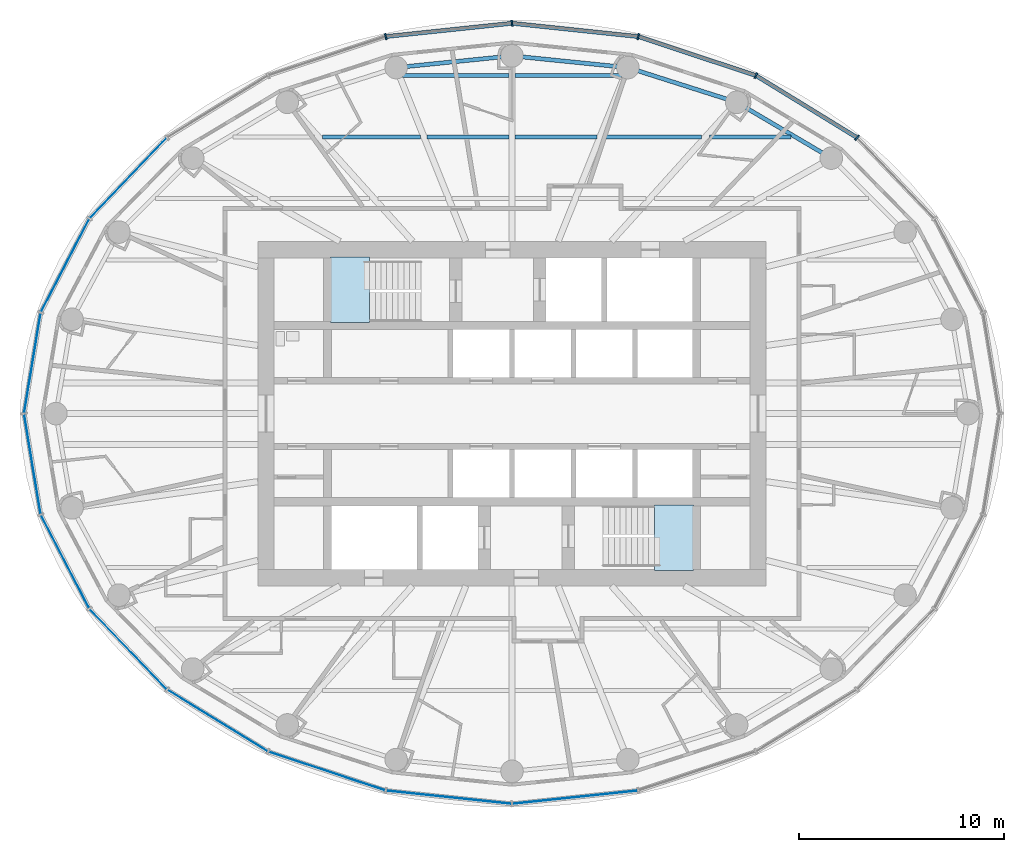
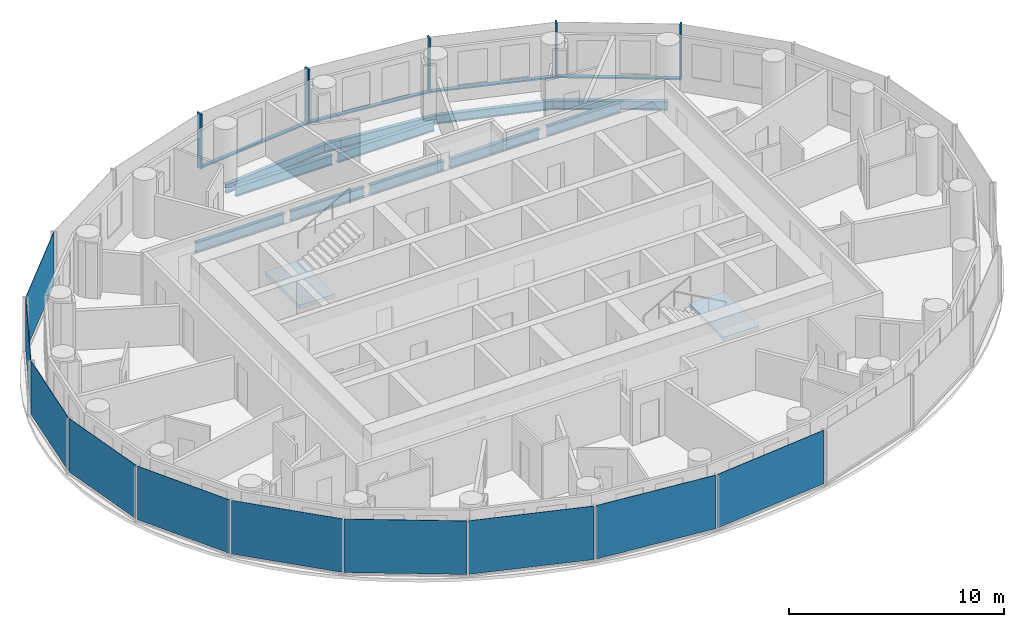
# One storey, part 4 of 14: 11 beams, 10 plates, 9 members, 2 slabs, 6 elements without a shape of their own.
"""IFC4 building model written with IfcOpenShell, lengths in metres."""

from ifc_helpers import new_model, si_unit, direction, frame, origin, origin_2d, place, context, subcontext, project, spatial, polyline, rectangle, i_section, outline, extrude, material, layer, layer_set, material_profile, profile_set, type_object, element, aggregate, save


model = new_model("IFC4")

# Units and contexts
model_context = context("Model", 3, precision=1e-05, world=origin(), true_north=direction((0.0, 1.0)))
body_context = subcontext(model_context, "Body", "Model", "MODEL_VIEW")
ifc_project = project(units=[si_unit("LENGTHUNIT", "METRE"), si_unit("AREAUNIT", "SQUARE_METRE"), si_unit("VOLUMEUNIT", "CUBIC_METRE"), si_unit("PLANEANGLEUNIT", "RADIAN"), si_unit("MASSUNIT", "GRAM", prefix="KILO")], contexts=[model_context])

# Site, building, storey
site_placement = place(None, origin())
site = spatial("IfcSite", under=ifc_project, at=site_placement, CompositionType="ELEMENT")
building_placement = place(site_placement, origin())
building = spatial("IfcBuilding", under=site, at=building_placement, Name="Hankou Lantern Tower", CompositionType="ELEMENT")
storey_placement = place(building_placement, frame((0.0, 0.0, 179.699951171875)))
storey = spatial("IfcBuildingStorey", under=building, at=storey_placement, Name="L48", CompositionType="ELEMENT", Elevation=179.699951171875)

# Beams
ifc_material_1 = material(Name="Steel Q355B", Category="steel")
ifc_material_profile_1 = material_profile(ifc_material_1, i_section(OverallWidth=0.199951171875, OverallDepth=0.5, WebThickness=0.010009765625, FlangeThickness=0.01611328125, FilletRadius=0.012939453125, at=origin_2d()), Name="HN500x200x10x16")
ifc_profile_set_1 = profile_set([ifc_material_profile_1], Name="Steel Q355B")
beam_type_1 = type_object("IfcBeamType", Name="EB5 RING BEAM HN500x200x10x16", PredefinedType="SPANDREL", material=ifc_profile_set_1)
beam_1_placement = place(storey_placement, frame((15.576171875, 12.4609375, -0.429931640625), z_axis=(-0.861135888339, 0.508374843806, 0.0), x_axis=(-0.508374843806, -0.861135888339, 0.0)))
element("IfcBeam", 1, at=beam_1_placement, inside=storey, type_object=beam_type_1, Name="Ring beam R04-R05 L48", PredefinedType="SPANDREL", context=body_context, shape_type="SweptSolid", body=[
    extrude(i_section(OverallWidth=0.199951171875, OverallDepth=0.5, WebThickness=0.010009765625, FlangeThickness=0.01611328125, FilletRadius=0.012939453125, at=origin_2d()), origin(), (0.0, 0.0, 1.0), 5.36083984375),
])
beam_2_placement = place(storey_placement, frame((10.959716796875, 15.186279296875, -0.429931640625), z_axis=(-0.952790404271, 0.30362879562, 0.0), x_axis=(-0.30362879562, -0.952790404271, 0.0)))
element("IfcBeam", 2, at=beam_2_placement, inside=storey, type_object=beam_type_1, Name="Ring beam R05-R06 L48", PredefinedType="SPANDREL", context=body_context, shape_type="SweptSolid", body=[
    extrude(i_section(OverallWidth=0.199951171875, OverallDepth=0.5, WebThickness=0.010009765625, FlangeThickness=0.01611328125, FilletRadius=0.012939453125, at=origin_2d()), origin(), (0.0, 0.0, 1.0), 5.56982421875),
])
for number, where, z_axis, x_axis, name in (
    (3, (5.65283203125, 16.87744140625, -0.429931640625), (-0.9949104636, 0.100762936734, 0.0), (-0.100762936734, -0.9949104636, 0.0), "Ring beam R06-R07 L48"),
    (4, (0.0, 17.449951171875, -0.429931640625), (-0.9949104636, -0.100762936734, 0.0), (0.100762936734, -0.9949104636, 0.0), "Ring beam R07-R08 L48"),
):
    element("IfcBeam", number, at=place(storey_placement, frame(where, z_axis=z_axis, x_axis=x_axis)), inside=storey, type_object=beam_type_1, Name=name, PredefinedType="SPANDREL", context=body_context, shape_type="SweptSolid", body=[
        extrude(i_section(OverallWidth=0.199951171875, OverallDepth=0.5, WebThickness=0.010009765625, FlangeThickness=0.01611328125, FilletRadius=0.012939453125, at=origin_2d()), origin(), (0.0, 0.0, 1.0), 5.681640625),
    ])

# Curtain wall, members
ifc_material_2 = material(Name="Glass, dark grey tinted laminated", Category="glass")
curtain_wall_type = type_object("IfcCurtainWallType", Name="CWC OUTER SKIN HIGH-RISE", PredefinedType="USERDEFINED", material=ifc_material_2)
curtain_wall_1_placement = place(storey_placement, origin())
curtain_wall_1 = element("IfcCurtainWall", 5, at=curtain_wall_1_placement, inside=storey, type_object=curtain_wall_type, Name="CWC L48 OS1", ObjectType="OUTER SKIN HIGH-RISE", PredefinedType="USERDEFINED")
ifc_material_3 = material(Name="Aluminium, black anodised", Category="aluminium")
ifc_material_profile_2 = material_profile(ifc_material_3, rectangle(XDim=0.080078125, YDim=0.300048828125, at=origin_2d()), Name="MU1 80X300")
ifc_profile_set_2 = profile_set([ifc_material_profile_2], Name="Aluminium, black anodised")
member_type_1 = type_object("IfcMemberType", Name="MU1 OUTER SKIN MULLION 80X300", PredefinedType="MULLION", material=ifc_profile_set_2)
member_1_placement = place(storey_placement, frame((16.8291015625, 13.46337890625, 0.0), z_axis=(0.0, 0.0, 1.0), x_axis=(-0.780868809444, 0.624695047553, 0.0)))
member_1 = element("IfcMember", 6, at=member_1_placement, type_object=member_type_1, Name="CWC mullion 4", PredefinedType="MULLION", context=body_context, shape_type="SweptSolid", body=[
    extrude(rectangle(XDim=0.080078125, YDim=0.300048828125, at=origin_2d()), origin(), (0.0, 0.0, 1.0), 3.1201171875),
])
member_2_placement = place(storey_placement, frame((11.89990234375, 16.489013671875, 0.0), z_axis=(0.0, 0.0, 1.0), x_axis=(-0.907841299004, 0.419313934686, 0.0)))
member_2 = element("IfcMember", 7, at=member_2_placement, type_object=member_type_1, Name="CWC mullion 5", PredefinedType="MULLION", context=body_context, shape_type="SweptSolid", body=[
    extrude(rectangle(XDim=0.080078125, YDim=0.300048828125, at=origin_2d()), origin(), (0.0, 0.0, 1.0), 3.1201171875),
])
member_3_placement = place(storey_placement, frame((6.159912109375, 18.39111328125, 0.0), z_axis=(0.0, 0.0, 1.0), x_axis=(-0.977787659625, 0.209597931016, 0.0)))
member_3 = element("IfcMember", 8, at=member_3_placement, type_object=member_type_1, Name="CWC mullion 6", PredefinedType="MULLION", context=body_context, shape_type="SweptSolid", body=[
    extrude(rectangle(XDim=0.080078125, YDim=0.300048828125, at=origin_2d()), origin(), (0.0, 0.0, 1.0), 3.1201171875),
])

curtain_wall_2_placement = place(storey_placement, origin())
curtain_wall_2 = element("IfcCurtainWall", 9, at=curtain_wall_2_placement, inside=storey, type_object=curtain_wall_type, Name="CWC L48 OS2", ObjectType="OUTER SKIN HIGH-RISE", PredefinedType="USERDEFINED")
member_4_placement = place(storey_placement, frame((0.0, 19.0400390625, 0.0), z_axis=(0.0, 0.0, 1.0), x_axis=(-0.994499359107, -0.104742659579, 0.0)))
member_4 = element("IfcMember", 10, at=member_4_placement, type_object=member_type_1, Name="CWC mullion 1", PredefinedType="MULLION", context=body_context, shape_type="SweptSolid", body=[
    extrude(rectangle(XDim=0.080078125, YDim=0.300048828125, at=origin_2d()), origin(), (0.0, 0.0, 1.0), 3.1201171875),
])
member_5_placement = place(storey_placement, frame((-6.159912109375, 18.39111328125, 0.0), z_axis=(0.0, 0.0, 1.0), x_axis=(-0.977787659625, -0.209597931016, 0.0)))
member_5 = element("IfcMember", 11, at=member_5_placement, type_object=member_type_1, Name="CWC mullion 2", PredefinedType="MULLION", context=body_context, shape_type="SweptSolid", body=[
    extrude(rectangle(XDim=0.080078125, YDim=0.300048828125, at=origin_2d()), origin(), (0.0, 0.0, 1.0), 3.1201171875),
])

# Beams
ifc_material_4 = material(Name="Steel Q355B", Category="steel")
ifc_material_profile_3 = material_profile(ifc_material_4, i_section(OverallWidth=0.199951171875, OverallDepth=0.550048828125, WebThickness=0.010009765625, FlangeThickness=0.01611328125, FilletRadius=0.012939453125, at=origin_2d()), Name="HN550x200x10x16")
ifc_profile_set_3 = profile_set([ifc_material_profile_3], Name="Steel Q355B")
beam_type_2 = type_object("IfcBeamType", Name="SB6 SECONDARY BEAM HN550x200x10x16", PredefinedType="JOIST", material=ifc_profile_set_3)
beam_3_placement = place(storey_placement, frame((-9.23974609375, 13.5, -0.454833984375), z_axis=(1.0, 0.0, 0.0), x_axis=(0.0, 1.0, 0.0)))
element("IfcBeam", 12, at=beam_3_placement, inside=storey, type_object=beam_type_2, Name="Floor joist J036 L48", PredefinedType="JOIST", context=body_context, shape_type="SweptSolid", body=[
    extrude(i_section(OverallWidth=0.199951171875, OverallDepth=0.550048828125, WebThickness=0.010009765625, FlangeThickness=0.01611328125, FilletRadius=0.012939453125, at=origin_2d()), origin(), (0.0, 0.0, 1.0), 4.780517578125),
])
for number, where, z_axis, x_axis, name in (
    (13, (-4.135986328125, 13.5, -0.454833984375), (1.0, 0.0, 0.0), (0.0, 1.0, 0.0), "Floor joist J037 L48"),
    (14, (0.14990234375, 13.5, -0.454833984375), (1.0, 0.0, 0.0), (0.0, 1.0, 0.0), "Floor joist J038 L48"),
):
    element("IfcBeam", number, at=place(storey_placement, frame(where, z_axis=z_axis, x_axis=x_axis)), inside=storey, type_object=beam_type_2, Name=name, PredefinedType="JOIST", context=body_context, shape_type="SweptSolid", body=[
        extrude(i_section(OverallWidth=0.199951171875, OverallDepth=0.550048828125, WebThickness=0.010009765625, FlangeThickness=0.01611328125, FilletRadius=0.012939453125, at=origin_2d()), origin(), (0.0, 0.0, 1.0), 3.986083984375),
    ])
beam_4_placement = place(storey_placement, frame((4.459228515625, 13.5, -0.454833984375), z_axis=(1.0, 0.0, 0.0), x_axis=(0.0, 1.0, 0.0)))
element("IfcBeam", 15, at=beam_4_placement, inside=storey, type_object=beam_type_2, Name="Floor joist J039 L48", PredefinedType="JOIST", context=body_context, shape_type="SweptSolid", body=[
    extrude(i_section(OverallWidth=0.199951171875, OverallDepth=0.550048828125, WebThickness=0.010009765625, FlangeThickness=0.01611328125, FilletRadius=0.012939453125, at=origin_2d()), origin(), (0.0, 0.0, 1.0), 4.780517578125),
])
beam_5_placement = place(storey_placement, frame((9.643310546875, 13.5, -0.454833984375), z_axis=(1.0, 0.0, 0.0), x_axis=(0.0, 1.0, 0.0)))
element("IfcBeam", 16, at=beam_5_placement, inside=storey, type_object=beam_type_2, Name="Floor joist J040 L48", PredefinedType="JOIST", context=body_context, shape_type="SweptSolid", body=[
    extrude(i_section(OverallWidth=0.199951171875, OverallDepth=0.550048828125, WebThickness=0.010009765625, FlangeThickness=0.01611328125, FilletRadius=0.012939453125, at=origin_2d()), origin(), (0.0, 0.0, 1.0), 3.97607421875),
])
for number, where, z_axis, x_axis, name in (
    (17, (-5.33984375, 16.5, -0.454833984375), (1.0, 0.0, 0.0), (0.0, 1.0, 0.0), "Floor joist J041 L48"),
    (18, (0.14990234375, 16.5, -0.454833984375), (1.0, 0.0, 0.0), (0.0, 1.0, 0.0), "Floor joist J042 L48"),
):
    element("IfcBeam", number, at=place(storey_placement, frame(where, z_axis=z_axis, x_axis=x_axis)), inside=storey, type_object=beam_type_2, Name=name, PredefinedType="JOIST", context=body_context, shape_type="SweptSolid", body=[
        extrude(i_section(OverallWidth=0.199951171875, OverallDepth=0.550048828125, WebThickness=0.010009765625, FlangeThickness=0.01611328125, FilletRadius=0.012939453125, at=origin_2d()), origin(), (0.0, 0.0, 1.0), 5.18994140625),
    ])

# Member
ifc_material_5 = material(Name="Aluminium, black anodised", Category="aluminium")
ifc_material_profile_4 = material_profile(ifc_material_5, rectangle(XDim=0.199951171875, YDim=0.080078125, at=origin_2d()), Name="TR1 200X80")
ifc_profile_set_4 = profile_set([ifc_material_profile_4], Name="Aluminium, black anodised")
member_type_2 = type_object("IfcMemberType", Name="TR1 OUTER SKIN TRANSOM 200X80", PredefinedType="USERDEFINED", material=ifc_profile_set_4)
member_6_placement = place(storey_placement, frame((16.795166015625, 13.484130859375, 0.0400390625), z_axis=(-0.852229482357, 0.523168146394, 0.0), x_axis=(-0.523168146394, -0.852229482357, 0.0)))
member_6 = element("IfcMember", 19, at=member_6_placement, type_object=member_type_2, Name="CWC transom 4", ObjectType="TRANSOM", PredefinedType="USERDEFINED", context=body_context, shape_type="SweptSolid", body=[
    extrude(rectangle(XDim=0.199951171875, YDim=0.080078125, at=origin_2d()), origin(), (0.0, 0.0, 1.0), 5.703857421875),
])

member_7_placement = place(storey_placement, frame((11.862060546875, 16.501708984375, 0.0400390625), z_axis=(-0.949242327551, 0.314545709849, 0.0), x_axis=(-0.314545709849, -0.949242327551, 0.0)))
member_7 = element("IfcMember", 20, at=member_7_placement, type_object=member_type_2, Name="CWC transom 5", ObjectType="TRANSOM", PredefinedType="USERDEFINED", context=body_context, shape_type="SweptSolid", body=[
    extrude(rectangle(XDim=0.199951171875, YDim=0.080078125, at=origin_2d()), origin(), (0.0, 0.0, 1.0), 5.96728515625),
])

member_8_placement = place(storey_placement, frame((6.1201171875, 18.3955078125, 0.0400390625), z_axis=(-0.994499543631, 0.104740907567, 0.0), x_axis=(-0.104740907567, -0.994499543631, 0.0)))
member_8 = element("IfcMember", 21, at=member_8_placement, type_object=member_type_2, Name="CWC transom 6", ObjectType="TRANSOM", PredefinedType="USERDEFINED", context=body_context, shape_type="SweptSolid", body=[
    extrude(rectangle(XDim=0.199951171875, YDim=0.080078125, at=origin_2d()), origin(), (0.0, 0.0, 1.0), 6.114013671875),
])

aggregate(curtain_wall_1, [member_1, member_2, member_3, member_6, member_7, member_8])

member_9_placement = place(storey_placement, frame((-0.039794921875, 19.035888671875, 0.0400390625), z_axis=(-0.994499543631, -0.104740907567, 0.0), x_axis=(0.104740907567, -0.994499543631, 0.0)))
member_9 = element("IfcMember", 22, at=member_9_placement, type_object=member_type_2, Name="CWC transom 1", ObjectType="TRANSOM", PredefinedType="USERDEFINED", context=body_context, shape_type="SweptSolid", body=[
    extrude(rectangle(XDim=0.199951171875, YDim=0.080078125, at=origin_2d()), origin(), (0.0, 0.0, 1.0), 6.114013671875),
])

# Plate
ifc_material_6 = material(Name="Glass, dark grey tinted laminated", Category="glass")
ifc_layer_1 = layer(ifc_material_6, 0.02392578125)
ifc_layer_set_1 = layer_set([ifc_layer_1], Name="Glass, dark grey tinted laminated")
plate_type = type_object("IfcPlateType", Name="PN1 OUTER SKIN GLASS PANEL", PredefinedType="CURTAIN_PANEL", material=ifc_layer_set_1)
plate_1_placement = place(storey_placement, frame((-18.72021484375, 11.49169921875, 0.080078125), z_axis=(0.0, 0.0, 1.0), x_axis=(-0.692215809936, -0.721690565599, 0.0)))
plate_1 = element("IfcPlate", 23, at=plate_1_placement, type_object=plate_type, Name="CWC glass panel 4", PredefinedType="CURTAIN_PANEL", context=body_context, shape_type="SweptSolid", body=[
    extrude(rectangle(XDim=5.384033203125, YDim=0.02392578125, at=origin_2d()), origin(), (0.0, 0.0, 1.0), 3.0400390625),
])

plate_2_placement = place(storey_placement, frame((-21.80029296875, 7.223876953125, 0.080078125), z_axis=(0.0, 0.0, 1.0), x_axis=(-0.459791091957, -0.888027112062, 0.0)))
plate_2 = element("IfcPlate", 24, at=plate_2_placement, type_object=plate_type, Name="CWC glass panel 5", PredefinedType="CURTAIN_PANEL", context=body_context, shape_type="SweptSolid", body=[
    extrude(rectangle(XDim=5.091064453125, YDim=0.02392578125, at=origin_2d()), origin(), (0.0, 0.0, 1.0), 3.0400390625),
])

plate_3_placement = place(storey_placement, frame((-23.39453125, 2.4638671875, 0.080078125), z_axis=(0.0, 0.0, 1.0), x_axis=(-0.162381515188, -0.986728049427, 0.0)))
plate_3 = element("IfcPlate", 25, at=plate_3_placement, type_object=plate_type, Name="CWC glass panel 6", PredefinedType="CURTAIN_PANEL", context=body_context, shape_type="SweptSolid", body=[
    extrude(rectangle(XDim=4.914306640625, YDim=0.02392578125, at=origin_2d()), origin(), (0.0, 0.0, 1.0), 3.0400390625),
])

aggregate(curtain_wall_2, [member_4, member_5, member_9, plate_1, plate_2, plate_3])

# Curtain wall, plates
curtain_wall_3_placement = place(storey_placement, origin())
curtain_wall_3 = element("IfcCurtainWall", 26, at=curtain_wall_3_placement, inside=storey, type_object=curtain_wall_type, Name="CWC L48 OS3", ObjectType="OUTER SKIN HIGH-RISE", PredefinedType="USERDEFINED")
plate_4_placement = place(storey_placement, frame((-23.39453125, -2.4638671875, 0.080078125), z_axis=(0.0, 0.0, 1.0), x_axis=(0.162381515188, -0.986728049427, 0.0)))
plate_4 = element("IfcPlate", 27, at=plate_4_placement, type_object=plate_type, Name="CWC glass panel 1", PredefinedType="CURTAIN_PANEL", context=body_context, shape_type="SweptSolid", body=[
    extrude(rectangle(XDim=4.914306640625, YDim=0.02392578125, at=origin_2d()), origin(), (0.0, 0.0, 1.0), 3.0400390625),
])
plate_5_placement = place(storey_placement, frame((-21.80029296875, -7.223876953125, 0.080078125), z_axis=(0.0, 0.0, 1.0), x_axis=(0.459791091957, -0.888027112062, 0.0)))
plate_5 = element("IfcPlate", 28, at=plate_5_placement, type_object=plate_type, Name="CWC glass panel 2", PredefinedType="CURTAIN_PANEL", context=body_context, shape_type="SweptSolid", body=[
    extrude(rectangle(XDim=5.091064453125, YDim=0.02392578125, at=origin_2d()), origin(), (0.0, 0.0, 1.0), 3.0400390625),
])
plate_6_placement = place(storey_placement, frame((-18.72021484375, -11.49169921875, 0.080078125), z_axis=(0.0, 0.0, 1.0), x_axis=(0.692215809936, -0.721690565599, 0.0)))
plate_6 = element("IfcPlate", 29, at=plate_6_placement, type_object=plate_type, Name="CWC glass panel 3", PredefinedType="CURTAIN_PANEL", context=body_context, shape_type="SweptSolid", body=[
    extrude(rectangle(XDim=5.384033203125, YDim=0.02392578125, at=origin_2d()), origin(), (0.0, 0.0, 1.0), 3.0400390625),
])
plate_7_placement = place(storey_placement, frame((-14.364501953125, -14.976318359375, 0.080078125), z_axis=(0.0, 0.0, 1.0), x_axis=(0.852237151549, -0.523155653242, 0.0)))
plate_7 = element("IfcPlate", 30, at=plate_7_placement, type_object=plate_type, Name="CWC glass panel 4", PredefinedType="CURTAIN_PANEL", context=body_context, shape_type="SweptSolid", body=[
    extrude(rectangle(XDim=5.703857421875, YDim=0.02392578125, at=origin_2d()), origin(), (0.0, 0.0, 1.0), 3.0400390625),
])
plate_8_placement = place(storey_placement, frame((-9.030029296875, -17.440185546875, 0.080078125), z_axis=(0.0, 0.0, 1.0), x_axis=(0.949240677293, -0.31455068999, 0.0)))
plate_8 = element("IfcPlate", 31, at=plate_8_placement, type_object=plate_type, Name="CWC glass panel 5", PredefinedType="CURTAIN_PANEL", context=body_context, shape_type="SweptSolid", body=[
    extrude(rectangle(XDim=5.967041015625, YDim=0.02392578125, at=origin_2d()), origin(), (0.0, 0.0, 1.0), 3.0400390625),
])
plate_9_placement = place(storey_placement, frame((-3.079833984375, -18.715576171875, 0.080078125), z_axis=(0.0, 0.0, 1.0), x_axis=(0.994499359107, -0.104742659579, 0.0)))
plate_9 = element("IfcPlate", 32, at=plate_9_placement, type_object=plate_type, Name="CWC glass panel 6", PredefinedType="CURTAIN_PANEL", context=body_context, shape_type="SweptSolid", body=[
    extrude(rectangle(XDim=6.114013671875, YDim=0.02392578125, at=origin_2d()), origin(), (0.0, 0.0, 1.0), 3.0400390625),
])
aggregate(curtain_wall_3, [plate_4, plate_5, plate_6, plate_7, plate_8, plate_9])

# Curtain wall, plate
curtain_wall_4_placement = place(storey_placement, origin())
curtain_wall_4 = element("IfcCurtainWall", 33, at=curtain_wall_4_placement, inside=storey, type_object=curtain_wall_type, Name="CWC L48 OS4", ObjectType="OUTER SKIN HIGH-RISE", PredefinedType="USERDEFINED")
plate_10_placement = place(storey_placement, frame((3.079833984375, -18.715576171875, 0.080078125), z_axis=(0.0, 0.0, 1.0), x_axis=(0.994499359107, 0.104742659579, 0.0)))
plate_10 = element("IfcPlate", 34, at=plate_10_placement, type_object=plate_type, Name="CWC glass panel 1", PredefinedType="CURTAIN_PANEL", context=body_context, shape_type="SweptSolid", body=[
    extrude(rectangle(XDim=6.114013671875, YDim=0.02392578125, at=origin_2d()), origin(), (0.0, 0.0, 1.0), 3.0400390625),
])
aggregate(curtain_wall_4, [plate_10])

# Stair, slab
ifc_material_7 = material(Name="Concrete C40", Category="concrete")
stair_type = type_object("IfcStairType", Name="ST33 CORE STAIR 3300 RISE", PredefinedType="HALF_TURN_STAIR", material=ifc_material_7)
stair_1_placement = place(storey_placement, origin())
stair_1 = element("IfcStair", 35, at=stair_1_placement, inside=storey, type_object=stair_type, Name="Stair STA L48", PredefinedType="HALF_TURN_STAIR")
ifc_material_8 = material(Name="Concrete C40", Category="concrete")
ifc_layer_2 = layer(ifc_material_8, 0.199951171875)
ifc_layer_set_2 = layer_set([ifc_layer_2], Name="Concrete C40")
slab_type = type_object("IfcSlabType", Name="SL1 STAIR LANDING 200", PredefinedType="LANDING", material=ifc_layer_set_2)
slab_1_placement = place(storey_placement, frame((0.0, 0.0, 1.37158203125)))
slab_1 = element("IfcSlab", 36, at=slab_1_placement, type_object=slab_type, Name="STA landing 1", PredefinedType="LANDING", context=body_context, shape_type="SweptSolid", body=[
    extrude(outline(polyline([(-8.85009765625, 4.449951171875), (-6.949951171875, 4.449951171875), (-6.949951171875, 7.64990234375), (-8.85009765625, 7.64990234375), (-8.85009765625, 4.449951171875)])), origin(), (0.0, 0.0, 1.0), 0.199951171875),
])
aggregate(stair_1, [slab_1])

stair_2_placement = place(storey_placement, origin())
stair_2 = element("IfcStair", 37, at=stair_2_placement, inside=storey, type_object=stair_type, Name="Stair STB L48", PredefinedType="HALF_TURN_STAIR")
slab_2_placement = place(storey_placement, frame((0.0, 0.0, 1.37158203125)))
slab_2 = element("IfcSlab", 38, at=slab_2_placement, type_object=slab_type, Name="STB landing 1", PredefinedType="LANDING", context=body_context, shape_type="SweptSolid", body=[
    extrude(outline(polyline([(8.85009765625, -4.449951171875), (6.949951171875, -4.449951171875), (6.949951171875, -7.64990234375), (8.85009765625, -7.64990234375), (8.85009765625, -4.449951171875)])), origin(), (0.0, 0.0, 1.0), 0.199951171875),
])
aggregate(stair_2, [slab_2])

save(model, "model.ifc")
